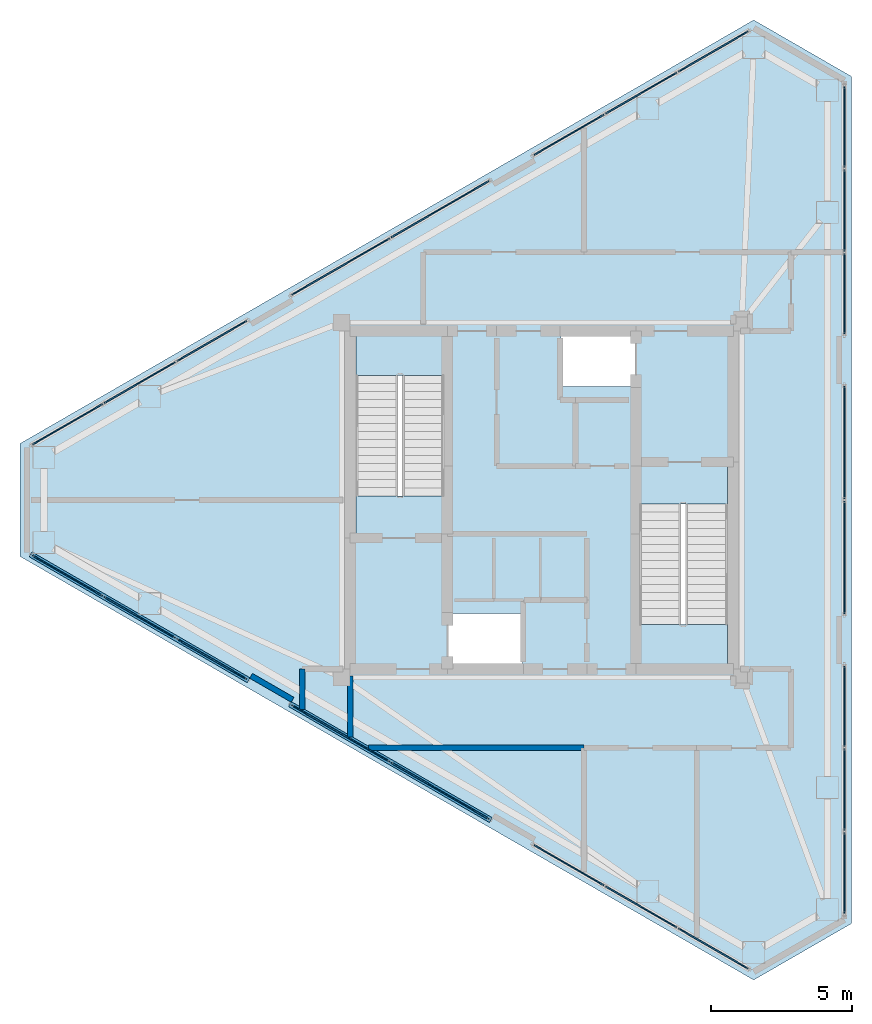
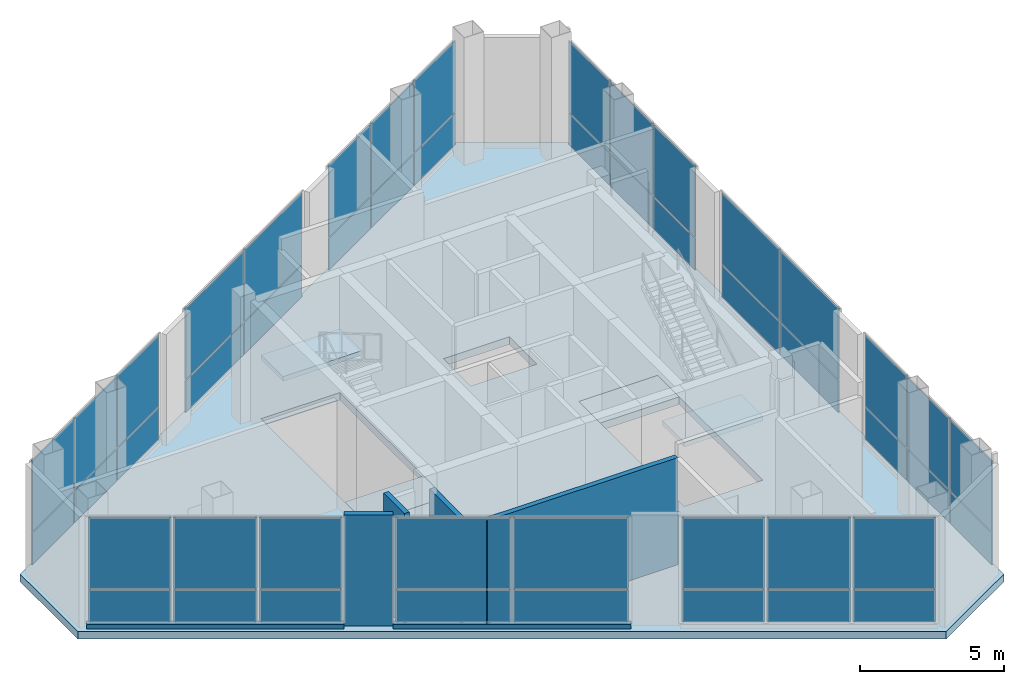
# One storey, part 9 of 13: 48 plates, 6 walls, 5 slabs, 11 elements without a shape of their own.
"""IFC4 building model written with IfcOpenShell, lengths in metres."""

from ifc_helpers import new_model, si_unit, direction, frame, frame_2d, origin, origin_2d, place, context, subcontext, project, spatial, polyline, rectangle, outline, extrude, material, layer, layer_set, type_object, element, aggregate, save


model = new_model("IFC4")

# Units and contexts
model_context = context("Model", 3, precision=1e-05, world=origin(), true_north=direction((0.0, 1.0)))
body_context = subcontext(model_context, "Body", "Model", "MODEL_VIEW")
ifc_project = project(units=[si_unit("LENGTHUNIT", "METRE"), si_unit("AREAUNIT", "SQUARE_METRE"), si_unit("VOLUMEUNIT", "CUBIC_METRE"), si_unit("PLANEANGLEUNIT", "RADIAN"), si_unit("MASSUNIT", "GRAM", prefix="KILO")], contexts=[model_context])

# Site, building, storey
site_placement = place(None, origin())
site = spatial("IfcSite", under=ifc_project, at=site_placement, CompositionType="ELEMENT")
building_placement = place(site_placement, origin())
building = spatial("IfcBuilding", under=site, at=building_placement, Name="Mersakhor Tower and Convention Hall", CompositionType="ELEMENT")
storey_placement = place(building_placement, frame((0.0, 0.0, 258.60009765625)))
storey = spatial("IfcBuildingStorey", under=building, at=storey_placement, Name="L72", CompositionType="ELEMENT", Elevation=258.60009765625)

# Curtain wall, plates
ifc_material_1 = material(Name="Dark solar low-E aluminium curtain wall", Category="aluminium")
ifc_layer_1 = layer(ifc_material_1, 0.2099609375)
ifc_layer_set_1 = layer_set([ifc_layer_1], Name="Dark solar low-E aluminium curtain wall")
curtain_wall_type = type_object("IfcCurtainWallType", Name="CW-SYS-06", PredefinedType="USERDEFINED", material=ifc_layer_set_1)
curtain_wall_1_placement = place(storey_placement, origin())
curtain_wall_1 = element("IfcCurtainWall", 1, at=curtain_wall_1_placement, inside=storey, type_object=curtain_wall_type, Name="L72 Dark-Glass Curtain Wall F1-B1", ObjectType="CURTAIN WALL", PredefinedType="USERDEFINED")
ifc_material_2 = material(Name="Dark solar double glazing", Category="glass")
ifc_layer_2 = layer(ifc_material_2, 0.052001953125)
ifc_layer_set_2 = layer_set([ifc_layer_2], Name="Dark solar double glazing")
plate_type = type_object("IfcPlateType", Name="CWP-GLZ-52", PredefinedType="CURTAIN_PANEL", material=ifc_layer_set_2)
plate_1_placement = place(storey_placement, frame((12.167724609375, 29.436767578125, 0.259765625), z_axis=(0.0, 0.0, 1.0), x_axis=(0.866025358982, 0.5000000776, 0.0)))
plate_1 = element("IfcPlate", 2, at=plate_1_placement, type_object=plate_type, Name="CW-06 panel 1.1", PredefinedType="CURTAIN_PANEL", context=body_context, shape_type="SweptSolid", body=[
    extrude(rectangle(XDim=2.85595703125, YDim=0.052001953125, at=origin_2d()), origin(), (0.0, 0.0, 1.0), 1.330078125),
])
plate_2_placement = place(storey_placement, frame((12.167724609375, 29.436767578125, 1.64990234375), z_axis=(0.0, 0.0, 1.0), x_axis=(0.866025358982, 0.5000000776, 0.0)))
plate_2 = element("IfcPlate", 3, at=plate_2_placement, type_object=plate_type, Name="CW-06 panel 1.2", PredefinedType="CURTAIN_PANEL", context=body_context, shape_type="SweptSolid", body=[
    extrude(rectangle(XDim=2.85595703125, YDim=0.052001953125, at=origin_2d()), origin(), (0.0, 0.0, 1.0), 2.989990234375),
])
plate_3_placement = place(storey_placement, frame((14.727783203125, 30.91455078125, 0.259765625), z_axis=(0.0, 0.0, 1.0), x_axis=(0.866025358982, 0.5000000776, 0.0)))
plate_3 = element("IfcPlate", 4, at=plate_3_placement, type_object=plate_type, Name="CW-06 panel 2.1", PredefinedType="CURTAIN_PANEL", context=body_context, shape_type="SweptSolid", body=[
    extrude(rectangle(XDim=2.89599609375, YDim=0.052001953125, at=origin_2d()), origin(), (0.0, 0.0, 1.0), 1.330078125),
])
plate_4_placement = place(storey_placement, frame((14.727783203125, 30.91455078125, 1.64990234375), z_axis=(0.0, 0.0, 1.0), x_axis=(0.866025358982, 0.5000000776, 0.0)))
plate_4 = element("IfcPlate", 5, at=plate_4_placement, type_object=plate_type, Name="CW-06 panel 2.2", PredefinedType="CURTAIN_PANEL", context=body_context, shape_type="SweptSolid", body=[
    extrude(rectangle(XDim=2.89599609375, YDim=0.052001953125, at=origin_2d()), origin(), (0.0, 0.0, 1.0), 2.989990234375),
])
plate_5_placement = place(storey_placement, frame((17.28759765625, 32.392578125, 0.259765625), z_axis=(0.0, 0.0, 1.0), x_axis=(0.866025358982, 0.5000000776, 0.0)))
plate_5 = element("IfcPlate", 6, at=plate_5_placement, type_object=plate_type, Name="CW-06 panel 3.1", PredefinedType="CURTAIN_PANEL", context=body_context, shape_type="SweptSolid", body=[
    extrude(rectangle(XDim=2.85595703125, YDim=0.052001953125, at=origin_2d()), origin(), (0.0, 0.0, 1.0), 1.330078125),
])
plate_6_placement = place(storey_placement, frame((17.28759765625, 32.392578125, 1.64990234375), z_axis=(0.0, 0.0, 1.0), x_axis=(0.866025358982, 0.5000000776, 0.0)))
plate_6 = element("IfcPlate", 7, at=plate_6_placement, type_object=plate_type, Name="CW-06 panel 3.2", PredefinedType="CURTAIN_PANEL", context=body_context, shape_type="SweptSolid", body=[
    extrude(rectangle(XDim=2.85595703125, YDim=0.052001953125, at=origin_2d()), origin(), (0.0, 0.0, 1.0), 2.989990234375),
])
aggregate(curtain_wall_1, [plate_1, plate_2, plate_3, plate_4, plate_5, plate_6])

curtain_wall_2_placement = place(storey_placement, origin())
curtain_wall_2 = element("IfcCurtainWall", 8, at=curtain_wall_2_placement, inside=storey, type_object=curtain_wall_type, Name="L72 Dark-Glass Curtain Wall F1-B2", ObjectType="CURTAIN WALL", PredefinedType="USERDEFINED")
plate_7_placement = place(storey_placement, frame((21.864501953125, 35.03515625, 0.259765625), z_axis=(0.0, 0.0, 1.0), x_axis=(0.86602285698, 0.500004411169, 0.0)))
plate_7 = element("IfcPlate", 9, at=plate_7_placement, type_object=plate_type, Name="CW-06 panel 1.1", PredefinedType="CURTAIN_PANEL", context=body_context, shape_type="SweptSolid", body=[
    extrude(rectangle(XDim=3.993896484375, YDim=0.052001953125, at=origin_2d()), origin(), (0.0, 0.0, 1.0), 1.330078125),
])
plate_8_placement = place(storey_placement, frame((21.864501953125, 35.03515625, 1.64990234375), z_axis=(0.0, 0.0, 1.0), x_axis=(0.86602285698, 0.500004411169, 0.0)))
plate_8 = element("IfcPlate", 10, at=plate_8_placement, type_object=plate_type, Name="CW-06 panel 1.2", PredefinedType="CURTAIN_PANEL", context=body_context, shape_type="SweptSolid", body=[
    extrude(rectangle(XDim=3.993896484375, YDim=0.052001953125, at=origin_2d()), origin(), (0.0, 0.0, 1.0), 2.989990234375),
])
plate_9_placement = place(storey_placement, frame((25.392578125, 37.072021484375, 0.259765625), z_axis=(0.0, 0.0, 1.0), x_axis=(0.86602285698, 0.500004411169, 0.0)))
plate_9 = element("IfcPlate", 11, at=plate_9_placement, type_object=plate_type, Name="CW-06 panel 2.1", PredefinedType="CURTAIN_PANEL", context=body_context, shape_type="SweptSolid", body=[
    extrude(rectangle(XDim=3.993896484375, YDim=0.052001953125, at=origin_2d()), origin(), (0.0, 0.0, 1.0), 1.330078125),
])
plate_10_placement = place(storey_placement, frame((25.392578125, 37.072021484375, 1.64990234375), z_axis=(0.0, 0.0, 1.0), x_axis=(0.86602285698, 0.500004411169, 0.0)))
plate_10 = element("IfcPlate", 12, at=plate_10_placement, type_object=plate_type, Name="CW-06 panel 2.2", PredefinedType="CURTAIN_PANEL", context=body_context, shape_type="SweptSolid", body=[
    extrude(rectangle(XDim=3.993896484375, YDim=0.052001953125, at=origin_2d()), origin(), (0.0, 0.0, 1.0), 2.989990234375),
])
aggregate(curtain_wall_2, [plate_7, plate_8, plate_9, plate_10])

curtain_wall_3_placement = place(storey_placement, origin())
curtain_wall_3 = element("IfcCurtainWall", 13, at=curtain_wall_3_placement, inside=storey, type_object=curtain_wall_type, Name="L72 Dark-Glass Curtain Wall F1-B3", ObjectType="CURTAIN WALL", PredefinedType="USERDEFINED")
plate_11_placement = place(storey_placement, frame((29.969482421875, 39.714599609375, 0.259765625), z_axis=(0.0, 0.0, 1.0), x_axis=(0.866025358982, 0.5000000776, 0.0)))
plate_11 = element("IfcPlate", 14, at=plate_11_placement, type_object=plate_type, Name="CW-06 panel 1.1", PredefinedType="CURTAIN_PANEL", context=body_context, shape_type="SweptSolid", body=[
    extrude(rectangle(XDim=2.85595703125, YDim=0.052001953125, at=origin_2d()), origin(), (0.0, 0.0, 1.0), 1.330078125),
])
plate_12_placement = place(storey_placement, frame((29.969482421875, 39.714599609375, 1.64990234375), z_axis=(0.0, 0.0, 1.0), x_axis=(0.866025358982, 0.5000000776, 0.0)))
plate_12 = element("IfcPlate", 15, at=plate_12_placement, type_object=plate_type, Name="CW-06 panel 1.2", PredefinedType="CURTAIN_PANEL", context=body_context, shape_type="SweptSolid", body=[
    extrude(rectangle(XDim=2.85595703125, YDim=0.052001953125, at=origin_2d()), origin(), (0.0, 0.0, 1.0), 2.989990234375),
])
plate_13_placement = place(storey_placement, frame((32.529541015625, 41.1923828125, 0.259765625), z_axis=(0.0, 0.0, 1.0), x_axis=(0.866025358982, 0.5000000776, 0.0)))
plate_13 = element("IfcPlate", 16, at=plate_13_placement, type_object=plate_type, Name="CW-06 panel 2.1", PredefinedType="CURTAIN_PANEL", context=body_context, shape_type="SweptSolid", body=[
    extrude(rectangle(XDim=2.89599609375, YDim=0.052001953125, at=origin_2d()), origin(), (0.0, 0.0, 1.0), 1.330078125),
])
plate_14_placement = place(storey_placement, frame((32.529541015625, 41.1923828125, 1.64990234375), z_axis=(0.0, 0.0, 1.0), x_axis=(0.866025358982, 0.5000000776, 0.0)))
plate_14 = element("IfcPlate", 17, at=plate_14_placement, type_object=plate_type, Name="CW-06 panel 2.2", PredefinedType="CURTAIN_PANEL", context=body_context, shape_type="SweptSolid", body=[
    extrude(rectangle(XDim=2.89599609375, YDim=0.052001953125, at=origin_2d()), origin(), (0.0, 0.0, 1.0), 2.989990234375),
])
plate_15_placement = place(storey_placement, frame((35.08935546875, 42.67041015625, 0.259765625), z_axis=(0.0, 0.0, 1.0), x_axis=(0.866025358982, 0.5000000776, 0.0)))
plate_15 = element("IfcPlate", 18, at=plate_15_placement, type_object=plate_type, Name="CW-06 panel 3.1", PredefinedType="CURTAIN_PANEL", context=body_context, shape_type="SweptSolid", body=[
    extrude(rectangle(XDim=2.85595703125, YDim=0.052001953125, at=origin_2d()), origin(), (0.0, 0.0, 1.0), 1.330078125),
])
plate_16_placement = place(storey_placement, frame((35.08935546875, 42.67041015625, 1.64990234375), z_axis=(0.0, 0.0, 1.0), x_axis=(0.866025358982, 0.5000000776, 0.0)))
plate_16 = element("IfcPlate", 19, at=plate_16_placement, type_object=plate_type, Name="CW-06 panel 3.2", PredefinedType="CURTAIN_PANEL", context=body_context, shape_type="SweptSolid", body=[
    extrude(rectangle(XDim=2.85595703125, YDim=0.052001953125, at=origin_2d()), origin(), (0.0, 0.0, 1.0), 2.989990234375),
])
aggregate(curtain_wall_3, [plate_11, plate_12, plate_13, plate_14, plate_15, plate_16])

curtain_wall_4_placement = place(storey_placement, origin())
curtain_wall_4 = element("IfcCurtainWall", 20, at=curtain_wall_4_placement, inside=storey, type_object=curtain_wall_type, Name="L72 Dark-Glass Curtain Wall F2-B1", ObjectType="CURTAIN WALL", PredefinedType="USERDEFINED")
plate_17_placement = place(storey_placement, frame((39.742919921875, 39.98388671875, 0.259765625), z_axis=(0.0, 0.0, 1.0), x_axis=(0.0, -1.0, 0.0)))
plate_17 = element("IfcPlate", 21, at=plate_17_placement, type_object=plate_type, Name="CW-06 panel 1.1", PredefinedType="CURTAIN_PANEL", context=body_context, shape_type="SweptSolid", body=[
    extrude(rectangle(XDim=2.85595703125, YDim=0.052001953125, at=origin_2d()), origin(), (0.0, 0.0, 1.0), 1.330078125),
])
plate_18_placement = place(storey_placement, frame((39.742919921875, 39.98388671875, 1.64990234375), z_axis=(0.0, 0.0, 1.0), x_axis=(0.0, -1.0, 0.0)))
plate_18 = element("IfcPlate", 22, at=plate_18_placement, type_object=plate_type, Name="CW-06 panel 1.2", PredefinedType="CURTAIN_PANEL", context=body_context, shape_type="SweptSolid", body=[
    extrude(rectangle(XDim=2.85595703125, YDim=0.052001953125, at=origin_2d()), origin(), (0.0, 0.0, 1.0), 2.989990234375),
])
plate_19_placement = place(storey_placement, frame((39.742919921875, 37.02783203125, 0.259765625), z_axis=(0.0, 0.0, 1.0), x_axis=(0.0, -1.0, 0.0)))
plate_19 = element("IfcPlate", 23, at=plate_19_placement, type_object=plate_type, Name="CW-06 panel 2.1", PredefinedType="CURTAIN_PANEL", context=body_context, shape_type="SweptSolid", body=[
    extrude(rectangle(XDim=2.89599609375, YDim=0.052001953125, at=origin_2d()), origin(), (0.0, 0.0, 1.0), 1.330078125),
])
plate_20_placement = place(storey_placement, frame((39.742919921875, 37.02783203125, 1.64990234375), z_axis=(0.0, 0.0, 1.0), x_axis=(0.0, -1.0, 0.0)))
plate_20 = element("IfcPlate", 24, at=plate_20_placement, type_object=plate_type, Name="CW-06 panel 2.2", PredefinedType="CURTAIN_PANEL", context=body_context, shape_type="SweptSolid", body=[
    extrude(rectangle(XDim=2.89599609375, YDim=0.052001953125, at=origin_2d()), origin(), (0.0, 0.0, 1.0), 2.989990234375),
])
plate_21_placement = place(storey_placement, frame((39.742919921875, 34.07177734375, 0.259765625), z_axis=(0.0, 0.0, 1.0), x_axis=(0.0, -1.0, 0.0)))
plate_21 = element("IfcPlate", 25, at=plate_21_placement, type_object=plate_type, Name="CW-06 panel 3.1", PredefinedType="CURTAIN_PANEL", context=body_context, shape_type="SweptSolid", body=[
    extrude(rectangle(XDim=2.85595703125, YDim=0.052001953125, at=origin_2d()), origin(), (0.0, 0.0, 1.0), 1.330078125),
])
plate_22_placement = place(storey_placement, frame((39.742919921875, 34.07177734375, 1.64990234375), z_axis=(0.0, 0.0, 1.0), x_axis=(0.0, -1.0, 0.0)))
plate_22 = element("IfcPlate", 26, at=plate_22_placement, type_object=plate_type, Name="CW-06 panel 3.2", PredefinedType="CURTAIN_PANEL", context=body_context, shape_type="SweptSolid", body=[
    extrude(rectangle(XDim=2.85595703125, YDim=0.052001953125, at=origin_2d()), origin(), (0.0, 0.0, 1.0), 2.989990234375),
])
aggregate(curtain_wall_4, [plate_17, plate_18, plate_19, plate_20, plate_21, plate_22])

curtain_wall_5_placement = place(storey_placement, origin())
curtain_wall_5 = element("IfcCurtainWall", 27, at=curtain_wall_5_placement, inside=storey, type_object=curtain_wall_type, Name="L72 Dark-Glass Curtain Wall F2-B2", ObjectType="CURTAIN WALL", PredefinedType="USERDEFINED")
plate_23_placement = place(storey_placement, frame((39.742919921875, 28.786865234375, 0.259765625), z_axis=(0.0, 0.0, 1.0), x_axis=(0.0, -1.0, 0.0)))
plate_23 = element("IfcPlate", 28, at=plate_23_placement, type_object=plate_type, Name="CW-06 panel 1.1", PredefinedType="CURTAIN_PANEL", context=body_context, shape_type="SweptSolid", body=[
    extrude(rectangle(XDim=3.993896484375, YDim=0.052001953125, at=origin_2d()), origin(), (0.0, 0.0, 1.0), 1.330078125),
])
plate_24_placement = place(storey_placement, frame((39.742919921875, 28.786865234375, 1.64990234375), z_axis=(0.0, 0.0, 1.0), x_axis=(0.0, -1.0, 0.0)))
plate_24 = element("IfcPlate", 29, at=plate_24_placement, type_object=plate_type, Name="CW-06 panel 1.2", PredefinedType="CURTAIN_PANEL", context=body_context, shape_type="SweptSolid", body=[
    extrude(rectangle(XDim=3.993896484375, YDim=0.052001953125, at=origin_2d()), origin(), (0.0, 0.0, 1.0), 2.989990234375),
])
plate_25_placement = place(storey_placement, frame((39.742919921875, 24.713134765625, 0.259765625), z_axis=(0.0, 0.0, 1.0), x_axis=(0.0, -1.0, 0.0)))
plate_25 = element("IfcPlate", 30, at=plate_25_placement, type_object=plate_type, Name="CW-06 panel 2.1", PredefinedType="CURTAIN_PANEL", context=body_context, shape_type="SweptSolid", body=[
    extrude(rectangle(XDim=3.993896484375, YDim=0.052001953125, at=origin_2d()), origin(), (0.0, 0.0, 1.0), 1.330078125),
])
plate_26_placement = place(storey_placement, frame((39.742919921875, 24.713134765625, 1.64990234375), z_axis=(0.0, 0.0, 1.0), x_axis=(0.0, -1.0, 0.0)))
plate_26 = element("IfcPlate", 31, at=plate_26_placement, type_object=plate_type, Name="CW-06 panel 2.2", PredefinedType="CURTAIN_PANEL", context=body_context, shape_type="SweptSolid", body=[
    extrude(rectangle(XDim=3.993896484375, YDim=0.052001953125, at=origin_2d()), origin(), (0.0, 0.0, 1.0), 2.989990234375),
])
aggregate(curtain_wall_5, [plate_23, plate_24, plate_25, plate_26])

curtain_wall_6_placement = place(storey_placement, origin())
curtain_wall_6 = element("IfcCurtainWall", 32, at=curtain_wall_6_placement, inside=storey, type_object=curtain_wall_type, Name="L72 Dark-Glass Curtain Wall F2-B3", ObjectType="CURTAIN WALL", PredefinedType="USERDEFINED")
plate_27_placement = place(storey_placement, frame((39.742919921875, 19.42822265625, 0.259765625), z_axis=(0.0, 0.0, 1.0), x_axis=(0.0, -1.0, 0.0)))
plate_27 = element("IfcPlate", 33, at=plate_27_placement, type_object=plate_type, Name="CW-06 panel 1.1", PredefinedType="CURTAIN_PANEL", context=body_context, shape_type="SweptSolid", body=[
    extrude(rectangle(XDim=2.85595703125, YDim=0.052001953125, at=origin_2d()), origin(), (0.0, 0.0, 1.0), 1.330078125),
])
plate_28_placement = place(storey_placement, frame((39.742919921875, 19.42822265625, 1.64990234375), z_axis=(0.0, 0.0, 1.0), x_axis=(0.0, -1.0, 0.0)))
plate_28 = element("IfcPlate", 34, at=plate_28_placement, type_object=plate_type, Name="CW-06 panel 1.2", PredefinedType="CURTAIN_PANEL", context=body_context, shape_type="SweptSolid", body=[
    extrude(rectangle(XDim=2.85595703125, YDim=0.052001953125, at=origin_2d()), origin(), (0.0, 0.0, 1.0), 2.989990234375),
])
plate_29_placement = place(storey_placement, frame((39.742919921875, 16.47216796875, 0.259765625), z_axis=(0.0, 0.0, 1.0), x_axis=(0.0, -1.0, 0.0)))
plate_29 = element("IfcPlate", 35, at=plate_29_placement, type_object=plate_type, Name="CW-06 panel 2.1", PredefinedType="CURTAIN_PANEL", context=body_context, shape_type="SweptSolid", body=[
    extrude(rectangle(XDim=2.89599609375, YDim=0.052001953125, at=origin_2d()), origin(), (0.0, 0.0, 1.0), 1.330078125),
])
plate_30_placement = place(storey_placement, frame((39.742919921875, 16.47216796875, 1.64990234375), z_axis=(0.0, 0.0, 1.0), x_axis=(0.0, -1.0, 0.0)))
plate_30 = element("IfcPlate", 36, at=plate_30_placement, type_object=plate_type, Name="CW-06 panel 2.2", PredefinedType="CURTAIN_PANEL", context=body_context, shape_type="SweptSolid", body=[
    extrude(rectangle(XDim=2.89599609375, YDim=0.052001953125, at=origin_2d()), origin(), (0.0, 0.0, 1.0), 2.989990234375),
])
plate_31_placement = place(storey_placement, frame((39.742919921875, 13.51611328125, 0.259765625), z_axis=(0.0, 0.0, 1.0), x_axis=(0.0, -1.0, 0.0)))
plate_31 = element("IfcPlate", 37, at=plate_31_placement, type_object=plate_type, Name="CW-06 panel 3.1", PredefinedType="CURTAIN_PANEL", context=body_context, shape_type="SweptSolid", body=[
    extrude(rectangle(XDim=2.85595703125, YDim=0.052001953125, at=origin_2d()), origin(), (0.0, 0.0, 1.0), 1.330078125),
])
plate_32_placement = place(storey_placement, frame((39.742919921875, 13.51611328125, 1.64990234375), z_axis=(0.0, 0.0, 1.0), x_axis=(0.0, -1.0, 0.0)))
plate_32 = element("IfcPlate", 38, at=plate_32_placement, type_object=plate_type, Name="CW-06 panel 3.2", PredefinedType="CURTAIN_PANEL", context=body_context, shape_type="SweptSolid", body=[
    extrude(rectangle(XDim=2.85595703125, YDim=0.052001953125, at=origin_2d()), origin(), (0.0, 0.0, 1.0), 2.989990234375),
])
aggregate(curtain_wall_6, [plate_27, plate_28, plate_29, plate_30, plate_31, plate_32])

curtain_wall_7_placement = place(storey_placement, origin())
curtain_wall_7 = element("IfcCurtainWall", 39, at=curtain_wall_7_placement, inside=storey, type_object=curtain_wall_type, Name="L72 Dark-Glass Curtain Wall F3-B1", ObjectType="CURTAIN WALL", PredefinedType="USERDEFINED")
plate_33_placement = place(storey_placement, frame((35.08935546875, 10.82958984375, 0.259765625), z_axis=(0.0, 0.0, 1.0), x_axis=(-0.866025358982, 0.5000000776, 0.0)))
plate_33 = element("IfcPlate", 40, at=plate_33_placement, type_object=plate_type, Name="CW-06 panel 1.1", PredefinedType="CURTAIN_PANEL", context=body_context, shape_type="SweptSolid", body=[
    extrude(rectangle(XDim=2.85595703125, YDim=0.052001953125, at=origin_2d()), origin(), (0.0, 0.0, 1.0), 1.330078125),
])
plate_34_placement = place(storey_placement, frame((35.08935546875, 10.82958984375, 1.64990234375), z_axis=(0.0, 0.0, 1.0), x_axis=(-0.866025358982, 0.5000000776, 0.0)))
plate_34 = element("IfcPlate", 41, at=plate_34_placement, type_object=plate_type, Name="CW-06 panel 1.2", PredefinedType="CURTAIN_PANEL", context=body_context, shape_type="SweptSolid", body=[
    extrude(rectangle(XDim=2.85595703125, YDim=0.052001953125, at=origin_2d()), origin(), (0.0, 0.0, 1.0), 2.989990234375),
])
plate_35_placement = place(storey_placement, frame((32.529541015625, 12.3076171875, 0.259765625), z_axis=(0.0, 0.0, 1.0), x_axis=(-0.866025358982, 0.5000000776, 0.0)))
plate_35 = element("IfcPlate", 42, at=plate_35_placement, type_object=plate_type, Name="CW-06 panel 2.1", PredefinedType="CURTAIN_PANEL", context=body_context, shape_type="SweptSolid", body=[
    extrude(rectangle(XDim=2.89599609375, YDim=0.052001953125, at=origin_2d()), origin(), (0.0, 0.0, 1.0), 1.330078125),
])
plate_36_placement = place(storey_placement, frame((32.529541015625, 12.3076171875, 1.64990234375), z_axis=(0.0, 0.0, 1.0), x_axis=(-0.866025358982, 0.5000000776, 0.0)))
plate_36 = element("IfcPlate", 43, at=plate_36_placement, type_object=plate_type, Name="CW-06 panel 2.2", PredefinedType="CURTAIN_PANEL", context=body_context, shape_type="SweptSolid", body=[
    extrude(rectangle(XDim=2.89599609375, YDim=0.052001953125, at=origin_2d()), origin(), (0.0, 0.0, 1.0), 2.989990234375),
])
plate_37_placement = place(storey_placement, frame((29.969482421875, 13.785400390625, 0.259765625), z_axis=(0.0, 0.0, 1.0), x_axis=(-0.866025358982, 0.5000000776, 0.0)))
plate_37 = element("IfcPlate", 44, at=plate_37_placement, type_object=plate_type, Name="CW-06 panel 3.1", PredefinedType="CURTAIN_PANEL", context=body_context, shape_type="SweptSolid", body=[
    extrude(rectangle(XDim=2.85595703125, YDim=0.052001953125, at=origin_2d()), origin(), (0.0, 0.0, 1.0), 1.330078125),
])
plate_38_placement = place(storey_placement, frame((29.969482421875, 13.785400390625, 1.64990234375), z_axis=(0.0, 0.0, 1.0), x_axis=(-0.866025358982, 0.5000000776, 0.0)))
plate_38 = element("IfcPlate", 45, at=plate_38_placement, type_object=plate_type, Name="CW-06 panel 3.2", PredefinedType="CURTAIN_PANEL", context=body_context, shape_type="SweptSolid", body=[
    extrude(rectangle(XDim=2.85595703125, YDim=0.052001953125, at=origin_2d()), origin(), (0.0, 0.0, 1.0), 2.989990234375),
])
aggregate(curtain_wall_7, [plate_33, plate_34, plate_35, plate_36, plate_37, plate_38])

curtain_wall_8_placement = place(storey_placement, origin())
curtain_wall_8 = element("IfcCurtainWall", 46, at=curtain_wall_8_placement, inside=storey, type_object=curtain_wall_type, Name="L72 Dark-Glass Curtain Wall F3-B2", ObjectType="CURTAIN WALL", PredefinedType="USERDEFINED")
plate_39_placement = place(storey_placement, frame((25.392578125, 16.427978515625, 0.259765625), z_axis=(0.0, 0.0, 1.0), x_axis=(-0.86602285698, 0.500004411169, 0.0)))
plate_39 = element("IfcPlate", 47, at=plate_39_placement, type_object=plate_type, Name="CW-06 panel 1.1", PredefinedType="CURTAIN_PANEL", context=body_context, shape_type="SweptSolid", body=[
    extrude(rectangle(XDim=3.993896484375, YDim=0.052001953125, at=origin_2d()), origin(), (0.0, 0.0, 1.0), 1.330078125),
])
plate_40_placement = place(storey_placement, frame((25.392578125, 16.427978515625, 1.64990234375), z_axis=(0.0, 0.0, 1.0), x_axis=(-0.86602285698, 0.500004411169, 0.0)))
plate_40 = element("IfcPlate", 48, at=plate_40_placement, type_object=plate_type, Name="CW-06 panel 1.2", PredefinedType="CURTAIN_PANEL", context=body_context, shape_type="SweptSolid", body=[
    extrude(rectangle(XDim=3.993896484375, YDim=0.052001953125, at=origin_2d()), origin(), (0.0, 0.0, 1.0), 2.989990234375),
])
plate_41_placement = place(storey_placement, frame((21.864501953125, 18.46484375, 0.259765625), z_axis=(0.0, 0.0, 1.0), x_axis=(-0.86602285698, 0.500004411169, 0.0)))
plate_41 = element("IfcPlate", 49, at=plate_41_placement, type_object=plate_type, Name="CW-06 panel 2.1", PredefinedType="CURTAIN_PANEL", context=body_context, shape_type="SweptSolid", body=[
    extrude(rectangle(XDim=3.993896484375, YDim=0.052001953125, at=origin_2d()), origin(), (0.0, 0.0, 1.0), 1.330078125),
])
plate_42_placement = place(storey_placement, frame((21.864501953125, 18.46484375, 1.64990234375), z_axis=(0.0, 0.0, 1.0), x_axis=(-0.86602285698, 0.500004411169, 0.0)))
plate_42 = element("IfcPlate", 50, at=plate_42_placement, type_object=plate_type, Name="CW-06 panel 2.2", PredefinedType="CURTAIN_PANEL", context=body_context, shape_type="SweptSolid", body=[
    extrude(rectangle(XDim=3.993896484375, YDim=0.052001953125, at=origin_2d()), origin(), (0.0, 0.0, 1.0), 2.989990234375),
])
aggregate(curtain_wall_8, [plate_39, plate_40, plate_41, plate_42])

curtain_wall_9_placement = place(storey_placement, origin())
curtain_wall_9 = element("IfcCurtainWall", 51, at=curtain_wall_9_placement, inside=storey, type_object=curtain_wall_type, Name="L72 Dark-Glass Curtain Wall F3-B3", ObjectType="CURTAIN WALL", PredefinedType="USERDEFINED")
plate_43_placement = place(storey_placement, frame((17.28759765625, 21.107421875, 0.259765625), z_axis=(0.0, 0.0, 1.0), x_axis=(-0.866025358982, 0.5000000776, 0.0)))
plate_43 = element("IfcPlate", 52, at=plate_43_placement, type_object=plate_type, Name="CW-06 panel 1.1", PredefinedType="CURTAIN_PANEL", context=body_context, shape_type="SweptSolid", body=[
    extrude(rectangle(XDim=2.85595703125, YDim=0.052001953125, at=origin_2d()), origin(), (0.0, 0.0, 1.0), 1.330078125),
])
plate_44_placement = place(storey_placement, frame((17.28759765625, 21.107421875, 1.64990234375), z_axis=(0.0, 0.0, 1.0), x_axis=(-0.866025358982, 0.5000000776, 0.0)))
plate_44 = element("IfcPlate", 53, at=plate_44_placement, type_object=plate_type, Name="CW-06 panel 1.2", PredefinedType="CURTAIN_PANEL", context=body_context, shape_type="SweptSolid", body=[
    extrude(rectangle(XDim=2.85595703125, YDim=0.052001953125, at=origin_2d()), origin(), (0.0, 0.0, 1.0), 2.989990234375),
])
plate_45_placement = place(storey_placement, frame((14.727783203125, 22.58544921875, 0.259765625), z_axis=(0.0, 0.0, 1.0), x_axis=(-0.866025358982, 0.5000000776, 0.0)))
plate_45 = element("IfcPlate", 54, at=plate_45_placement, type_object=plate_type, Name="CW-06 panel 2.1", PredefinedType="CURTAIN_PANEL", context=body_context, shape_type="SweptSolid", body=[
    extrude(rectangle(XDim=2.89599609375, YDim=0.052001953125, at=origin_2d()), origin(), (0.0, 0.0, 1.0), 1.330078125),
])
plate_46_placement = place(storey_placement, frame((14.727783203125, 22.58544921875, 1.64990234375), z_axis=(0.0, 0.0, 1.0), x_axis=(-0.866025358982, 0.5000000776, 0.0)))
plate_46 = element("IfcPlate", 55, at=plate_46_placement, type_object=plate_type, Name="CW-06 panel 2.2", PredefinedType="CURTAIN_PANEL", context=body_context, shape_type="SweptSolid", body=[
    extrude(rectangle(XDim=2.89599609375, YDim=0.052001953125, at=origin_2d()), origin(), (0.0, 0.0, 1.0), 2.989990234375),
])
plate_47_placement = place(storey_placement, frame((12.167724609375, 24.063232421875, 0.259765625), z_axis=(0.0, 0.0, 1.0), x_axis=(-0.866025358982, 0.5000000776, 0.0)))
plate_47 = element("IfcPlate", 56, at=plate_47_placement, type_object=plate_type, Name="CW-06 panel 3.1", PredefinedType="CURTAIN_PANEL", context=body_context, shape_type="SweptSolid", body=[
    extrude(rectangle(XDim=2.85595703125, YDim=0.052001953125, at=origin_2d()), origin(), (0.0, 0.0, 1.0), 1.330078125),
])
plate_48_placement = place(storey_placement, frame((12.167724609375, 24.063232421875, 1.64990234375), z_axis=(0.0, 0.0, 1.0), x_axis=(-0.866025358982, 0.5000000776, 0.0)))
plate_48 = element("IfcPlate", 57, at=plate_48_placement, type_object=plate_type, Name="CW-06 panel 3.2", PredefinedType="CURTAIN_PANEL", context=body_context, shape_type="SweptSolid", body=[
    extrude(rectangle(XDim=2.85595703125, YDim=0.052001953125, at=origin_2d()), origin(), (0.0, 0.0, 1.0), 2.989990234375),
])
aggregate(curtain_wall_9, [plate_43, plate_44, plate_45, plate_46, plate_47, plate_48])

# Slabs
ifc_material_3 = material(Name="Concrete C45/55", Category="concrete")
ifc_layer_3 = layer(ifc_material_3, 0.320068359375)
ifc_layer_set_3 = layer_set([ifc_layer_3], Name="Concrete C45/55")
slab_type_1 = type_object("IfcSlabType", Name="SL-FLR-320", PredefinedType="FLOOR", material=ifc_layer_set_3)
slab_1_placement = place(storey_placement, frame((0.0, 0.0, -0.320068359375)))
element("IfcSlab", 58, at=slab_1_placement, inside=storey, type_object=slab_type_1, Name="L72 ST-1 Structural Stair Floor Landing", PredefinedType="LANDING", context=body_context, shape_type="SweptSolid", body=[
    extrude(outline(polyline([(25.550048828125, 25.39990234375), (25.550048828125, 26.89990234375), (22.39990234375, 26.89990234375), (22.39990234375, 25.39990234375), (25.550048828125, 25.39990234375)])), origin(), (0.0, 0.0, 1.0), 0.320068359375),
])
slab_2_placement = place(storey_placement, frame((0.0, 0.0, -0.320068359375)))
element("IfcSlab", 59, at=slab_2_placement, inside=storey, type_object=slab_type_1, Name="L72 ST-2 Structural Stair Floor Landing", PredefinedType="LANDING", context=body_context, shape_type="SweptSolid", body=[
    extrude(outline(polyline([(32.449951171875, 28.10009765625), (32.449951171875, 26.60009765625), (35.60009765625, 26.60009765625), (35.60009765625, 28.10009765625), (32.449951171875, 28.10009765625)])), origin(), (0.0, 0.0, 1.0), 0.320068359375),
])
slab_3_placement = place(storey_placement, frame((0.0, 0.0, -0.320068359375)))
element("IfcSlab", 60, at=slab_3_placement, inside=storey, type_object=slab_type_1, Name="Tower L72 Structural Floor Slab", PredefinedType="FLOOR", context=body_context, shape_type="SweptSolid", body=[
    extrude(outline(polyline([(10.48193359375, 28.751953125), (36.525146484375, 43.7880859375), (39.992919921875, 41.7861328125), (39.992919921875, 11.7138671875), (36.525146484375, 9.7119140625), (10.48193359375, 24.748046875), (10.48193359375, 28.751953125)]), holes=[polyline([(25.550048828125, 25.39990234375), (25.550048828125, 32.699951171875), (22.39990234375, 32.699951171875), (22.39990234375, 25.39990234375), (25.550048828125, 25.39990234375)]), polyline([(32.449951171875, 28.10009765625), (32.449951171875, 20.800048828125), (35.60009765625, 20.800048828125), (35.60009765625, 28.10009765625), (32.449951171875, 28.10009765625)]), polyline([(25.679931640625, 20.820068359375), (25.679931640625, 22.719970703125), (28.320068359375, 22.719970703125), (28.320068359375, 20.820068359375), (25.679931640625, 20.820068359375)]), polyline([(29.679931640625, 30.780029296875), (29.679931640625, 32.679931640625), (32.320068359375, 32.679931640625), (32.320068359375, 30.780029296875), (29.679931640625, 30.780029296875)])]), origin(), (0.0, 0.0, 1.0), 0.320068359375),
])

# Stair, slab
ifc_material_4 = material(Name="Concrete C45/55", Category="concrete")
stair_type = type_object("IfcStairType", Name="ST-TWR-32R", PredefinedType="HALF_TURN_STAIR", material=ifc_material_4)
stair_1_placement = place(storey_placement, origin())
stair_1 = element("IfcStair", 61, at=stair_1_placement, inside=storey, type_object=stair_type, Name="L72 Tower Protected Exit Stair ST-1", PredefinedType="HALF_TURN_STAIR")
ifc_material_5 = material(Name="Concrete C45/55", Category="concrete")
ifc_layer_4 = layer(ifc_material_5, 0.199951171875)
ifc_layer_set_4 = layer_set([ifc_layer_4], Name="Concrete C45/55")
slab_type_2 = type_object("IfcSlabType", Name="SL-LAND-200", PredefinedType="LANDING", material=ifc_layer_set_4)
slab_4_placement = place(storey_placement, frame((0.0, 0.0, 2.5)))
slab_4 = element("IfcSlab", 62, at=slab_4_placement, type_object=slab_type_2, Name="ST-1 landing 1", PredefinedType="LANDING", context=body_context, shape_type="SweptSolid", body=[
    extrude(outline(polyline([(25.550048828125, 31.175048828125), (25.550048828125, 32.699951171875), (22.39990234375, 32.699951171875), (22.39990234375, 31.175048828125), (25.550048828125, 31.175048828125)])), origin(), (0.0, 0.0, 1.0), 0.199951171875),
])
aggregate(stair_1, [slab_4])

stair_2_placement = place(storey_placement, origin())
stair_2 = element("IfcStair", 63, at=stair_2_placement, inside=storey, type_object=stair_type, Name="L72 Tower Protected Exit Stair ST-2", PredefinedType="HALF_TURN_STAIR")
slab_5_placement = place(storey_placement, frame((0.0, 0.0, 2.5)))
slab_5 = element("IfcSlab", 64, at=slab_5_placement, type_object=slab_type_2, Name="ST-2 landing 1", PredefinedType="LANDING", context=body_context, shape_type="SweptSolid", body=[
    extrude(outline(polyline([(32.449951171875, 22.324951171875), (32.449951171875, 20.800048828125), (35.60009765625, 20.800048828125), (35.60009765625, 22.324951171875), (32.449951171875, 22.324951171875)])), origin(), (0.0, 0.0, 1.0), 0.199951171875),
])
aggregate(stair_2, [slab_5])

# Walls
ifc_material_6 = material(Name="Precast concrete C40/50", Category="concrete")
ifc_layer_5 = layer(ifc_material_6, 0.199951171875)
ifc_layer_set_5 = layer_set([ifc_layer_5], Name="Precast concrete C40/50")
wall_type_1 = type_object("IfcWallType", Name="WL-PAR-200", PredefinedType="PARAPET", material=ifc_layer_set_5)
wall_1_placement = place(storey_placement, frame((27.19140625, 15.389404296875, 0.0), z_axis=(0.0, 0.0, 1.0), x_axis=(-0.866019557082, 0.500010126649, 0.0)))
element("IfcWall", 65, at=wall_1_placement, inside=storey, type_object=wall_type_1, Name="L72 Curtain Wall Upstand Sill F3-B2", PredefinedType="PARAPET", context=body_context, shape_type="SweptSolid", body=[
    extrude(rectangle(XDim=8.227783203125, YDim=0.199951171875, at=frame_2d((4.11376953125, 0.0))), origin(), (0.0, 0.0, 1.0), 0.199951171875),
])
wall_2_placement = place(storey_placement, frame((18.593505859375, 20.353515625, 0.0), z_axis=(0.0, 0.0, 1.0), x_axis=(-0.866026655105, 0.499997832642, 0.0)))
element("IfcWall", 66, at=wall_2_placement, inside=storey, type_object=wall_type_1, Name="L72 Curtain Wall Upstand Sill F3-B3", PredefinedType="PARAPET", context=body_context, shape_type="SweptSolid", body=[
    extrude(rectangle(XDim=8.927734375, YDim=0.199951171875, at=frame_2d((4.4638671875, 0.0))), origin(), (0.0, 0.0, 1.0), 0.199951171875),
])
wall_3_placement = place(storey_placement, frame((20.156005859375, 19.6591796875, 0.0), z_axis=(0.0, 0.0, 1.0), x_axis=(-0.866025371046, 0.500000056704, 0.0)))
element("IfcWall", 67, at=wall_3_placement, inside=storey, type_object=wall_type_1, Name="L72 Column Pier Cladding Wall F3-C2", PredefinedType="PARAPET", context=body_context, shape_type="SweptSolid", body=[
    extrude(rectangle(XDim=1.7001953125, YDim=0.199951171875, at=frame_2d((0.85009765625, 0.0))), origin(), (0.0, 0.0, 1.0), 4.699951171875),
])
ifc_material_7 = material(Name="Acoustic concrete blockwork and gypsum board", Category="masonry")
ifc_layer_6 = layer(ifc_material_7, 0.199951171875)
ifc_layer_set_6 = layer_set([ifc_layer_6], Name="Acoustic concrete blockwork and gypsum board")
wall_type_2 = type_object("IfcWallType", Name="WL-PRT-200", PredefinedType="PARTITIONING", material=ifc_layer_set_6)
wall_4_placement = place(storey_placement, frame((30.5, 17.949951171875, 0.0), z_axis=(0.0, 0.0, 1.0), x_axis=(-1.0, 0.0, 0.0)))
element("IfcWall", 68, at=wall_4_placement, inside=storey, type_object=wall_type_2, Name="L72 Interior Partition Wall P-031", PredefinedType="PARTITIONING", context=body_context, shape_type="SweptSolid", body=[
    extrude(rectangle(XDim=7.652587890625, YDim=0.199951171875, at=frame_2d((3.826171875, 0.0))), origin(), (0.0, 0.0, 1.0), 4.5283203125),
])
wall_5_placement = place(storey_placement, frame((22.199951171875, 18.3291015625, 0.0), z_axis=(0.0, 0.0, 1.0), x_axis=(0.0, 1.0, 0.0)))
element("IfcWall", 69, at=wall_5_placement, inside=storey, type_object=wall_type_2, Name="L72 Interior Partition Wall P-032", PredefinedType="PARTITIONING", context=body_context, shape_type="SweptSolid", body=[
    extrude(rectangle(XDim=2.1708984375, YDim=0.199951171875, at=frame_2d((1.08544921875, 0.0))), origin(), (0.0, 0.0, 1.0), 4.5283203125),
])
wall_6_placement = place(storey_placement, frame((20.5, 20.75, 0.0), z_axis=(0.0, 0.0, 1.0), x_axis=(0.0, -1.0, 0.0)))
element("IfcWall", 70, at=wall_6_placement, inside=storey, type_object=wall_type_2, Name="L72 Interior Partition Wall P-038", PredefinedType="PARTITIONING", context=body_context, shape_type="SweptSolid", body=[
    extrude(rectangle(XDim=1.439453125, YDim=0.199951171875, at=frame_2d((0.7197265625, 0.0))), origin(), (0.0, 0.0, 1.0), 4.8046875),
])

save(model, "model.ifc")
